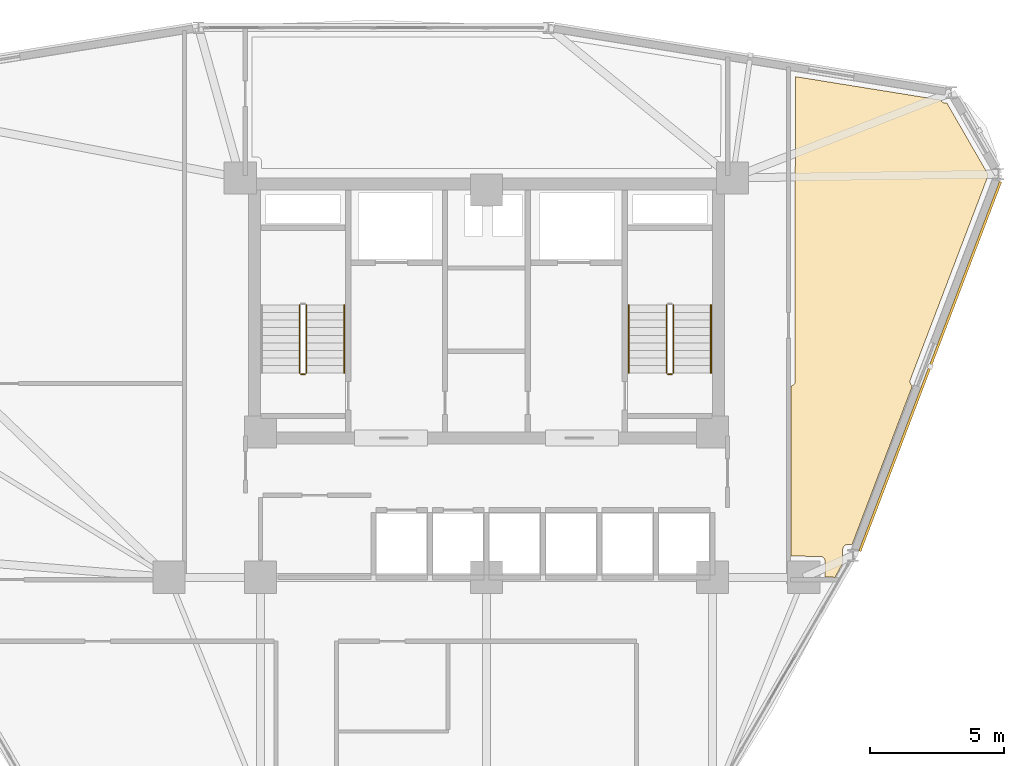
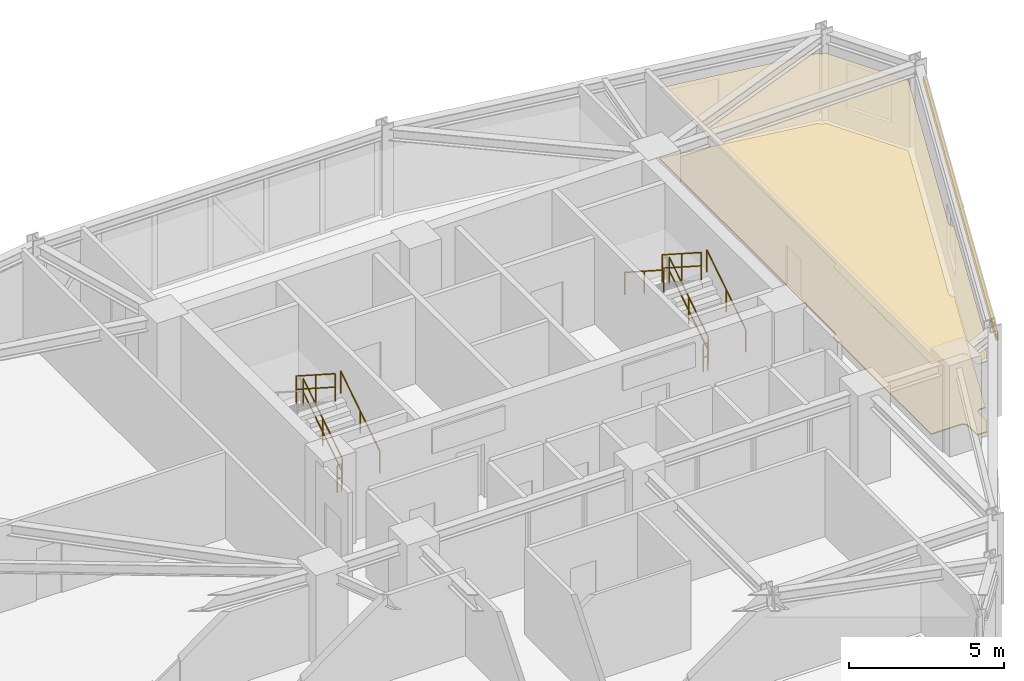
# One storey, part 14 of 15: 9 railings, 2 coverings, 1 shading device.
"""IFC4 building model written with IfcOpenShell, lengths in metres."""

from ifc_helpers import new_model, si_unit, derived_unit, direction, frame, origin, origin_2d, place, context, subcontext, project, spatial, polyline, hollow_rectangle, circle, outline, extrude, source, transform, mapped, material, layer, layer_set, material_profile, profile_set, type_object, element, save


model = new_model("IFC4")

# Units and contexts
model_context = context("Model", 3, precision=1e-05, world=origin(), true_north=direction((0.0, 1.0)))
body_context = subcontext(model_context, "Body", "Model", "MODEL_VIEW")
ifc_project = project(units=[si_unit("LENGTHUNIT", "METRE"), si_unit("AREAUNIT", "SQUARE_METRE"), si_unit("VOLUMEUNIT", "CUBIC_METRE"), si_unit("PLANEANGLEUNIT", "RADIAN"), si_unit("MASSUNIT", "GRAM", prefix="KILO"), derived_unit("THERMALTRANSMITTANCEUNIT", [(si_unit("POWERUNIT", "WATT"), 1), (si_unit("LENGTHUNIT", "METRE"), -2), (si_unit("THERMODYNAMICTEMPERATUREUNIT", "KELVIN"), -1)])], contexts=[model_context])

# Site, building, storey
site_placement = place(None, origin())
site = spatial("IfcSite", under=ifc_project, at=site_placement, CompositionType="ELEMENT")
building_placement = place(site_placement, origin())
building = spatial("IfcBuilding", under=site, at=building_placement, Name="Korsvarv Bourse and Concert Hall", CompositionType="ELEMENT")
storey_placement = place(building_placement, frame((0.0, 0.0, 150.60009765625)))
storey = spatial("IfcBuildingStorey", under=building, at=storey_placement, Name="L38", CompositionType="ELEMENT", Elevation=150.60009765625)

# Coverings
ifc_material_1 = material(Name="Perforated mineral-wool and birch acoustic baffle ceiling", Category="wood")
ifc_layer_1 = layer(ifc_material_1, 0.02490234375)
ifc_layer_set_1 = layer_set([ifc_layer_1], Name="Perforated mineral-wool and birch acoustic baffle ceiling")
covering_type_1 = type_object("IfcCoveringType", Name="COV-CEIL-1", PredefinedType="CEILING", material=ifc_layer_set_1)
covering_1_placement = place(storey_placement, frame((0.0, 0.0, 2.77978515625)))
element("IfcCovering", 1, at=covering_1_placement, inside=storey, type_object=covering_type_1, Name="L38 acoustic baffle ceiling 2", PredefinedType="CEILING", context=body_context, shape_type="SweptSolid", body=[
    extrude(outline(polyline([(47.320068359375, 39.51123046875), (47.34521484375, 39.515869140625), (47.37939453125, 39.5283203125), (47.41015625, 39.547607421875), (47.4365234375, 39.57275390625), (47.45751953125, 39.602783203125), (47.4716796875, 39.635986328125), (47.47900390625, 39.671875), (47.47998046875, 51.01513671875), (52.8974609375, 50.1435546875), (52.907470703125, 50.121826171875), (52.927978515625, 50.092041015625), (52.9541015625, 50.067138671875), (52.984619140625, 50.047607421875), (53.018310546875, 50.034912109375), (53.05419921875, 50.029052734375), (53.1201171875, 50.02490234375), (54.637939453125, 47.39599609375), (54.637939453125, 47.3056640625), (51.75634765625, 39.743408203125), (51.7470703125, 39.70849609375), (51.74462890625, 39.672119140625), (51.75, 39.63623046875), (51.76220703125, 39.60205078125), (51.781005859375, 39.571044921875), (51.8056640625, 39.54443359375), (51.835205078125, 39.523193359375), (49.593994140625, 33.619140625), (49.42529296875, 33.619140625), (49.390625, 33.61572265625), (49.357421875, 33.605712890625), (49.326416015625, 33.589599609375), (49.29931640625, 33.56787109375), (49.277099609375, 33.541259765625), (49.260009765625, 33.5107421875), (49.24951171875, 33.477783203125), (49.2451171875, 33.443115234375), (49.235107421875, 32.998046875), (49.23779296875, 32.962890625), (49.24755859375, 32.9287109375), (48.951904296875, 32.394775390625), (48.927490234375, 32.40185546875), (48.892578125, 32.405517578125), (48.590087890625, 32.408447265625), (48.590087890625, 33.0), (48.586669921875, 33.034912109375), (48.576416015625, 33.068603515625), (48.56005859375, 33.099609375), (48.537841796875, 33.126708984375), (48.5107421875, 33.149169921875), (48.47998046875, 33.166015625), (48.4462890625, 33.17626953125), (48.41162109375, 33.179931640625), (47.320068359375, 33.18896484375), (47.320068359375, 39.51123046875)])), origin(), (0.0, 0.0, 1.0), 0.025146484375),
])
ifc_material_2 = material(Name="Calcium-sulphate raised access trading floor with Nordic oak top", Category="wood")
ifc_layer_2 = layer(ifc_material_2, 0.0400390625)
ifc_layer_set_2 = layer_set([ifc_layer_2], Name="Calcium-sulphate raised access trading floor with Nordic oak top")
covering_type_2 = type_object("IfcCoveringType", Name="COV-FLOR-1", PredefinedType="FLOORING", material=ifc_layer_set_2)
covering_2_placement = place(storey_placement, origin())
element("IfcCovering", 2, at=covering_2_placement, inside=storey, type_object=covering_type_2, Name="L38 raised access oak floor finish 2", PredefinedType="FLOORING", context=body_context, shape_type="SweptSolid", body=[
    extrude(outline(polyline([(47.320068359375, 39.51123046875), (47.34521484375, 39.515869140625), (47.37939453125, 39.5283203125), (47.41015625, 39.547607421875), (47.4365234375, 39.57275390625), (47.45751953125, 39.602783203125), (47.4716796875, 39.635986328125), (47.47900390625, 39.671875), (47.47998046875, 51.01513671875), (52.8974609375, 50.1435546875), (52.907470703125, 50.121826171875), (52.927978515625, 50.092041015625), (52.9541015625, 50.067138671875), (52.984619140625, 50.047607421875), (53.018310546875, 50.034912109375), (53.05419921875, 50.029052734375), (53.1201171875, 50.02490234375), (54.637939453125, 47.39599609375), (54.637939453125, 47.3056640625), (51.75634765625, 39.743408203125), (51.7470703125, 39.70849609375), (51.74462890625, 39.672119140625), (51.75, 39.63623046875), (51.76220703125, 39.60205078125), (51.781005859375, 39.571044921875), (51.8056640625, 39.54443359375), (51.835205078125, 39.523193359375), (49.593994140625, 33.619140625), (49.42529296875, 33.619140625), (49.390625, 33.61572265625), (49.357421875, 33.605712890625), (49.326416015625, 33.589599609375), (49.29931640625, 33.56787109375), (49.277099609375, 33.541259765625), (49.260009765625, 33.5107421875), (49.24951171875, 33.477783203125), (49.2451171875, 33.443115234375), (49.235107421875, 32.998046875), (49.23779296875, 32.962890625), (49.24755859375, 32.9287109375), (48.951904296875, 32.394775390625), (48.927490234375, 32.40185546875), (48.892578125, 32.405517578125), (48.590087890625, 32.408447265625), (48.590087890625, 33.0), (48.586669921875, 33.034912109375), (48.576416015625, 33.068603515625), (48.56005859375, 33.099609375), (48.537841796875, 33.126708984375), (48.5107421875, 33.149169921875), (48.47998046875, 33.166015625), (48.4462890625, 33.17626953125), (48.41162109375, 33.179931640625), (47.320068359375, 33.18896484375), (47.320068359375, 39.51123046875)])), origin(), (0.0, 0.0, 1.0), 0.039794921875),
])

# Railings
ifc_material_3 = material(Name="Painted Steel S355 stair well guardrail", Category="steel")
railing_type_1 = type_object("IfcRailingType", Name="RL-ST-GRD", PredefinedType="GUARDRAIL", material=ifc_material_3)
railing_1_placement = place(storey_placement, frame((29.31005859375, 40.0, 0.179931640625)))
element("IfcRailing", 3, at=railing_1_placement, inside=storey, type_object=railing_type_1, Name="L38 ST-T1 stair guard 1", PredefinedType="GUARDRAIL", context=body_context, shape_type="SweptSolid", body=[
    extrude(circle(Radius=0.02392578125, at=origin_2d()), frame((0.0, 0.0, 1.076171875), z_axis=(0.0, 0.841199657755, 0.540724639528), x_axis=(-1.0, 0.0, 0.0)), (0.0, 0.0, 1.0), 2.995849609375),
    extrude(circle(Radius=0.02392578125, at=origin_2d()), frame((0.0, 0.0, 0.550048828125), z_axis=(0.0, 0.841199657755, 0.540724639528), x_axis=(-1.0, 0.0, 0.0)), (0.0, 0.0, 1.0), 2.995849609375),
    extrude(circle(Radius=0.02099609375, at=origin_2d()), origin(), (0.0, 0.0, 1.0), 1.052001953125),
    extrude(circle(Radius=0.02099609375, at=origin_2d()), frame((0.0, 1.260009765625, 0.81005859375)), (0.0, 0.0, 1.0), 1.052001953125),
    extrude(circle(Radius=0.02099609375, at=origin_2d()), frame((0.0, 2.52001953125, 1.619873046875)), (0.0, 0.0, 1.0), 1.052001953125),
])
railing_2_placement = place(storey_placement, frame((29.050048828125, 42.52001953125, 1.97998046875)))
element("IfcRailing", 4, at=railing_2_placement, inside=storey, type_object=railing_type_1, Name="L38 ST-T1 stair guard 3", PredefinedType="GUARDRAIL", context=body_context, shape_type="SweptSolid", body=[
    extrude(circle(Radius=0.02392578125, at=origin_2d()), frame((0.0, 0.0, 1.076171875), z_axis=(0.0, -0.841199657755, 0.540724639528), x_axis=(1.0, 0.0, 0.0)), (0.0, 0.0, 1.0), 2.995849609375),
    extrude(circle(Radius=0.02392578125, at=origin_2d()), frame((0.0, 0.0, 0.550048828125), z_axis=(0.0, -0.841199657755, 0.540724639528), x_axis=(1.0, 0.0, 0.0)), (0.0, 0.0, 1.0), 2.995849609375),
    extrude(circle(Radius=0.02099609375, at=origin_2d()), origin(), (0.0, 0.0, 1.0), 1.052001953125),
    extrude(circle(Radius=0.02099609375, at=origin_2d()), frame((0.0, -1.260009765625, 0.81005859375)), (0.0, 0.0, 1.0), 1.052001953125),
    extrude(circle(Radius=0.02099609375, at=origin_2d()), frame((0.0, -2.52001953125, 1.619873046875)), (0.0, 0.0, 1.0), 1.052001953125),
])
railing_3_placement = place(storey_placement, frame((29.260009765625, 39.949951171875, 0.0)))
element("IfcRailing", 5, at=railing_3_placement, inside=storey, type_object=railing_type_1, Name="L38 ST-T1 stair guard 4", PredefinedType="GUARDRAIL", context=body_context, shape_type="SweptSolid", body=[
    extrude(circle(Radius=0.02392578125, at=origin_2d()), frame((0.0, 0.0, 1.076171875), z_axis=(-1.0, 0.0, 0.0), x_axis=(0.0, -1.0, 0.0)), (0.0, 0.0, 1.0), 0.159912109375),
    extrude(circle(Radius=0.02392578125, at=origin_2d()), frame((0.0, 0.0, 0.550048828125), z_axis=(-1.0, 0.0, 0.0), x_axis=(0.0, -1.0, 0.0)), (0.0, 0.0, 1.0), 0.159912109375),
    extrude(circle(Radius=0.02099609375, at=origin_2d()), origin(), (0.0, 0.0, 1.0), 1.052001953125),
    extrude(circle(Radius=0.02099609375, at=origin_2d()), frame((-0.159912109375, 0.0, 0.0)), (0.0, 0.0, 1.0), 1.052001953125),
])
railing_4_placement = place(storey_placement, frame((42.949951171875, 40.0, 0.179931640625)))
element("IfcRailing", 6, at=railing_4_placement, inside=storey, type_object=railing_type_1, Name="L38 ST-T2 stair guard 1", PredefinedType="GUARDRAIL", context=body_context, shape_type="SweptSolid", body=[
    extrude(circle(Radius=0.02392578125, at=origin_2d()), frame((0.0, 0.0, 1.076171875), z_axis=(0.0, 0.841199657755, 0.540724639528), x_axis=(-1.0, 0.0, 0.0)), (0.0, 0.0, 1.0), 2.995849609375),
    extrude(circle(Radius=0.02392578125, at=origin_2d()), frame((0.0, 0.0, 0.550048828125), z_axis=(0.0, 0.841199657755, 0.540724639528), x_axis=(-1.0, 0.0, 0.0)), (0.0, 0.0, 1.0), 2.995849609375),
    extrude(circle(Radius=0.02099609375, at=origin_2d()), origin(), (0.0, 0.0, 1.0), 1.052001953125),
    extrude(circle(Radius=0.02099609375, at=origin_2d()), frame((0.0, 1.260009765625, 0.81005859375)), (0.0, 0.0, 1.0), 1.052001953125),
    extrude(circle(Radius=0.02099609375, at=origin_2d()), frame((0.0, 2.52001953125, 1.619873046875)), (0.0, 0.0, 1.0), 1.052001953125),
])
railing_5_placement = place(storey_placement, frame((42.68994140625, 42.52001953125, 1.97998046875)))
element("IfcRailing", 7, at=railing_5_placement, inside=storey, type_object=railing_type_1, Name="L38 ST-T2 stair guard 3", PredefinedType="GUARDRAIL", context=body_context, shape_type="SweptSolid", body=[
    extrude(circle(Radius=0.02392578125, at=origin_2d()), frame((0.0, 0.0, 1.076171875), z_axis=(0.0, -0.841199657755, 0.540724639528), x_axis=(1.0, 0.0, 0.0)), (0.0, 0.0, 1.0), 2.995849609375),
    extrude(circle(Radius=0.02392578125, at=origin_2d()), frame((0.0, 0.0, 0.550048828125), z_axis=(0.0, -0.841199657755, 0.540724639528), x_axis=(1.0, 0.0, 0.0)), (0.0, 0.0, 1.0), 2.995849609375),
    extrude(circle(Radius=0.02099609375, at=origin_2d()), origin(), (0.0, 0.0, 1.0), 1.052001953125),
    extrude(circle(Radius=0.02099609375, at=origin_2d()), frame((0.0, -1.260009765625, 0.81005859375)), (0.0, 0.0, 1.0), 1.052001953125),
    extrude(circle(Radius=0.02099609375, at=origin_2d()), frame((0.0, -2.52001953125, 1.619873046875)), (0.0, 0.0, 1.0), 1.052001953125),
])
railing_6_placement = place(storey_placement, frame((42.89990234375, 39.949951171875, 0.0)))
element("IfcRailing", 8, at=railing_6_placement, inside=storey, type_object=railing_type_1, Name="L38 ST-T2 stair guard 4", PredefinedType="GUARDRAIL", context=body_context, shape_type="SweptSolid", body=[
    extrude(circle(Radius=0.02392578125, at=origin_2d()), frame((0.0, 0.0, 1.076171875), z_axis=(-1.0, 0.0, 0.0), x_axis=(0.0, -1.0, 0.0)), (0.0, 0.0, 1.0), 0.159912109375),
    extrude(circle(Radius=0.02392578125, at=origin_2d()), frame((0.0, 0.0, 0.550048828125), z_axis=(-1.0, 0.0, 0.0), x_axis=(0.0, -1.0, 0.0)), (0.0, 0.0, 1.0), 0.159912109375),
    extrude(circle(Radius=0.02099609375, at=origin_2d()), origin(), (0.0, 0.0, 1.0), 1.052001953125),
    extrude(circle(Radius=0.02099609375, at=origin_2d()), frame((-0.159912109375, 0.0, 0.0)), (0.0, 0.0, 1.0), 1.052001953125),
])
ifc_material_4 = material(Name="Brushed stainless Steel S355 tubular handrail", Category="steel")
railing_type_2 = type_object("IfcRailingType", Name="RL-ST-HND", PredefinedType="HANDRAIL", material=ifc_material_4)
for number, where, name in (
    (9, (30.7099609375, 40.0, 0.179931640625), "L38 ST-T1 stair handrail 1"),
    (10, (44.35009765625, 40.0, 0.179931640625), "L38 ST-T2 stair handrail 1"),
):
    element("IfcRailing", number, at=place(storey_placement, frame(where)), inside=storey, type_object=railing_type_2, Name=name, PredefinedType="HANDRAIL", context=body_context, shape_type="SweptSolid", body=[
        extrude(circle(Radius=0.02392578125, at=origin_2d()), frame((0.0, 0.0, 0.8759765625), z_axis=(0.0, 0.841199657755, 0.540724639528), x_axis=(-1.0, 0.0, 0.0)), (0.0, 0.0, 1.0), 2.995849609375),
        extrude(circle(Radius=0.02099609375, at=origin_2d()), origin(), (0.0, 0.0, 1.0), 0.851806640625),
        extrude(circle(Radius=0.02099609375, at=origin_2d()), frame((0.0, 1.260009765625, 0.81005859375)), (0.0, 0.0, 1.0), 0.851806640625),
        extrude(circle(Radius=0.02099609375, at=origin_2d()), frame((0.0, 2.52001953125, 1.619873046875)), (0.0, 0.0, 1.0), 0.851806640625),
    ])
railing_7_placement = place(storey_placement, frame((41.2900390625, 42.52001953125, 1.97998046875)))
element("IfcRailing", 11, at=railing_7_placement, inside=storey, type_object=railing_type_2, Name="L38 ST-T2 stair handrail 2", PredefinedType="HANDRAIL", context=body_context, shape_type="SweptSolid", body=[
    extrude(circle(Radius=0.02392578125, at=origin_2d()), frame((0.0, 0.0, 0.8759765625), z_axis=(0.0, -0.841199657755, 0.540724639528), x_axis=(1.0, 0.0, 0.0)), (0.0, 0.0, 1.0), 2.995849609375),
    extrude(circle(Radius=0.02099609375, at=origin_2d()), origin(), (0.0, 0.0, 1.0), 0.851806640625),
    extrude(circle(Radius=0.02099609375, at=origin_2d()), frame((0.0, -1.260009765625, 0.81005859375)), (0.0, 0.0, 1.0), 0.851806640625),
    extrude(circle(Radius=0.02099609375, at=origin_2d()), frame((0.0, -2.52001953125, 1.619873046875)), (0.0, 0.0, 1.0), 0.851806640625),
])

# Shading device
ifc_material_5 = material(Name="Glazed extruded architectural terracotta", Category="ceramic")
ifc_material_profile = material_profile(ifc_material_5, hollow_rectangle(XDim=0.090087890625, YDim=0.260009765625, WallThickness=0.011962890625, at=origin_2d()), Name="TC-BAG 90x260")
ifc_profile_set = profile_set([ifc_material_profile], Name="Glazed extruded architectural terracotta")
shading_device_type = type_object("IfcShadingDeviceType", Name="SHD-BAG-1", PredefinedType="USERDEFINED", material=ifc_profile_set)
shared_shape = source(origin(), body_context, "Body", "SweptSolid", [
    extrude(hollow_rectangle(XDim=0.090087890625, YDim=0.260009765625, WallThickness=0.011962890625, at=origin_2d()), origin(), (0.0, 0.0, 1.0), 14.69677734375),
])
shading_device_placement = place(storey_placement, frame((49.87939453125, 33.371826171875, 2.83984375), z_axis=(0.356092036372, 0.934450887758, 0.0), x_axis=(-0.934450887758, 0.356092036372, 0.0)))
element("IfcShadingDevice", 12, at=shading_device_placement, inside=storey, type_object=shading_device_type, Name="L38 terracotta baguette sunshade EW-L38-B12", ObjectType="BAGUETTE", PredefinedType="USERDEFINED", context=body_context, shape_type="MappedRepresentation", body=[
    mapped(shared_shape, transform((0.0, 0.0, 0.0), scale=1.0)),
])

save(model, "model.ifc")
